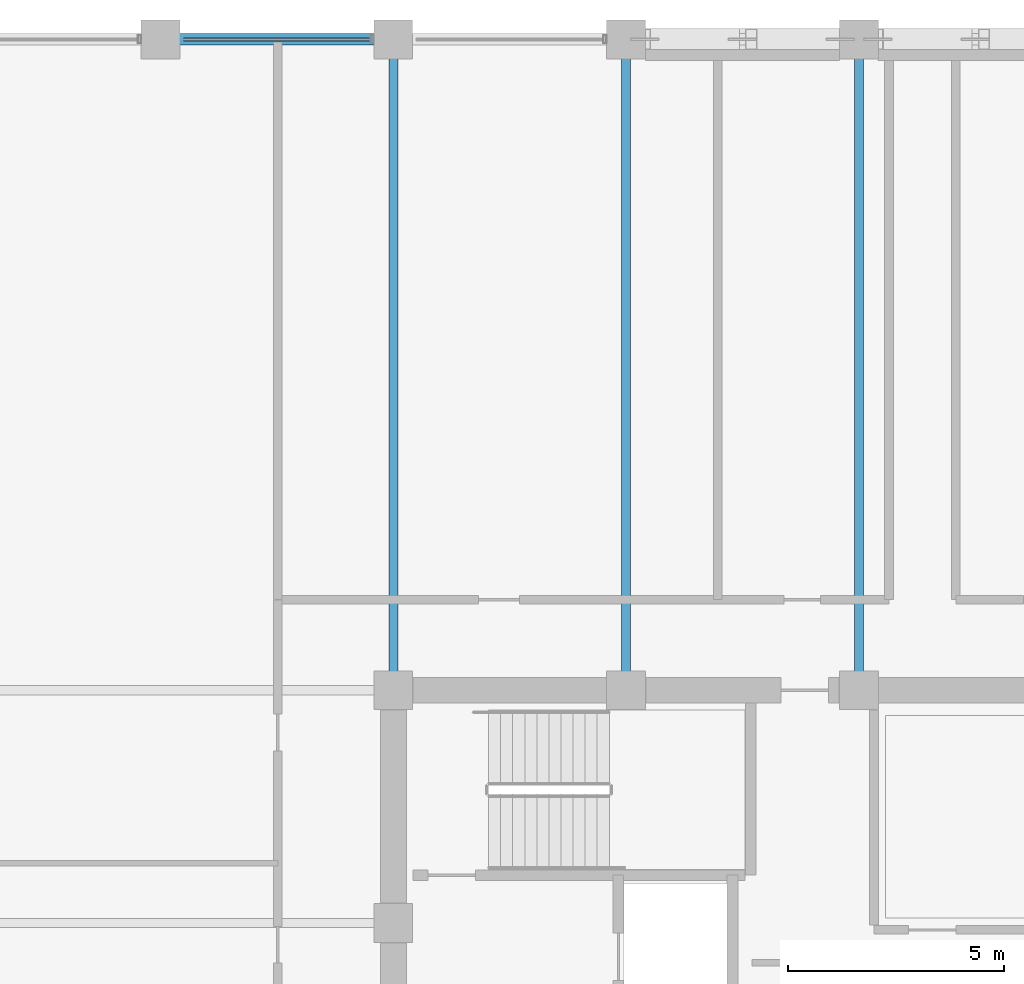
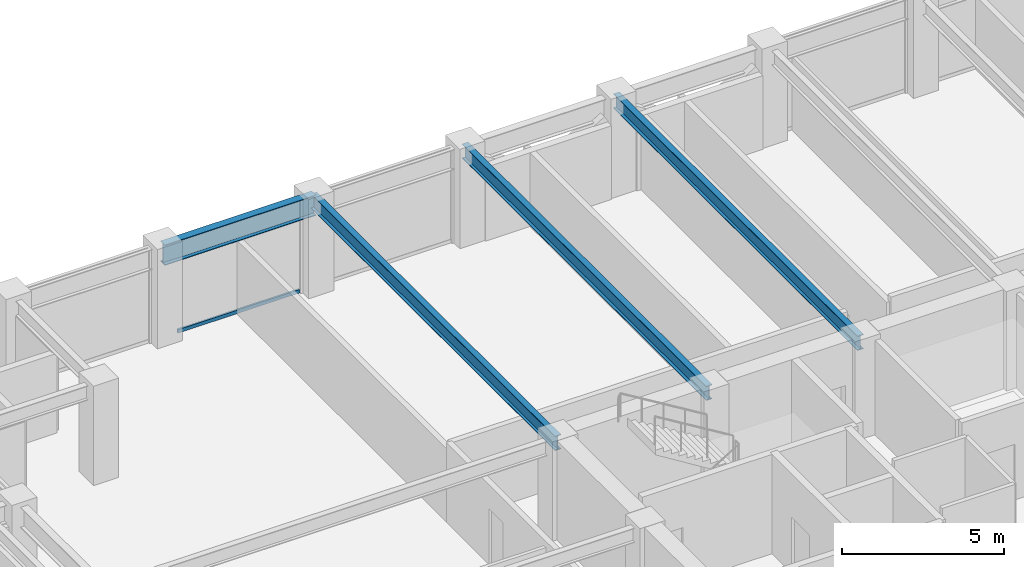
# One storey, part 19 of 32: 4 beams, 1 member, 1 element without a shape of its own.
"""IFC4 building model written with IfcOpenShell, lengths in metres."""

import ifcopenshell
import ifcopenshell.guid

model = None  # the IFC model being written
_history = None  # IfcOwnerHistory: only IFC2X3 demands one
_inside = {}  # id of a spatial element -> (the spatial element, [elements in it])
_under = {}  # id of a project, library or spatial element -> (it, [spatial elements below it])
_declared = {}  # id of a project -> (the project, [libraries it declares])
_typed = {}  # id of a type object -> (the type object, [elements of that type])
_made_of = {}  # id of a material, layer set ... -> (it, [elements and type objects made of it])


def new_model(schema):
    """Start an empty IFC model of exactly this schema.

    Asked for "IFC4X3", IfcOpenShell would pick the latest addendum, in which some entities
    have other attributes; the version numbers below select the first issue.
    IFC2X3 requires an IfcOwnerHistory on every rooted entity: one is made here for all.
    """
    global model, _history
    if schema == "IFC4X3":
        model = ifcopenshell.file(schema_version=(4, 3, 0, 0))
    else:
        model = ifcopenshell.file(schema=schema)
    _inside.clear()
    _under.clear()
    _declared.clear()
    _typed.clear()
    _made_of.clear()
    _history = None
    if model.schema == "IFC2X3":
        org = make("IfcOrganization", Name="unknown")
        user = make(
            "IfcPersonAndOrganization",
            ThePerson=make("IfcPerson", FamilyName="unknown"),
            TheOrganization=org,
        )
        app = make(
            "IfcApplication",
            ApplicationDeveloper=org,
            Version="unknown",
            ApplicationFullName="unknown",
            ApplicationIdentifier="unknown",
        )
        _history = make(
            "IfcOwnerHistory",
            OwningUser=user,
            OwningApplication=app,
            ChangeAction="ADDED",
            CreationDate=0,
        )
    return model


def make(cls, **values):
    """One entity of the class cls with the attributes given. An attribute that is None is left unset."""
    return model.create_entity(
        cls, **{name: value for name, value in values.items() if value is not None}
    )


def rooted(cls, **values):
    """An entity with a GlobalId (a new one), such as an element, a storey or a relation."""
    return make(cls, GlobalId=ifcopenshell.guid.new(), OwnerHistory=_history, **values)


def si_unit(unit_type, name, prefix=None):
    """IfcSIUnit, for example si_unit("LENGTHUNIT", "METRE", prefix="MILLI")."""
    return make("IfcSIUnit", UnitType=unit_type, Prefix=prefix, Name=name)


def assignment(units):
    """IfcUnitAssignment: the units of a project."""
    return None if units is None else make("IfcUnitAssignment", Units=units)


def point(xyz):
    """IfcCartesianPoint."""
    return None if xyz is None else make("IfcCartesianPoint", Coordinates=xyz)


def direction(xyz):
    """IfcDirection."""
    return None if xyz is None else make("IfcDirection", DirectionRatios=xyz)


def frame(location, z_axis=None, x_axis=None):
    """IfcAxis2Placement3D, a coordinate frame: its origin and axes. An axis left out is left unset."""
    return make(
        "IfcAxis2Placement3D",
        Location=point(location),
        Axis=direction(z_axis),
        RefDirection=direction(x_axis),
    )


def frame_2d(location, x_axis=None):
    """IfcAxis2Placement2D, a coordinate frame in the plane: its origin and x axis."""
    return make(
        "IfcAxis2Placement2D", Location=point(location), RefDirection=direction(x_axis)
    )


def origin():
    """The frame at (0, 0, 0) with its axes left unset."""
    return frame((0.0, 0.0, 0.0))


def origin_2d():
    """The frame at (0, 0) in the plane with its x axis left unset."""
    return frame_2d((0.0, 0.0))


def place(relative_to, where):
    """IfcLocalPlacement: puts the frame where relative to a parent placement (None: the world)."""
    return make(
        "IfcLocalPlacement", PlacementRelTo=relative_to, RelativePlacement=where
    )


def context(
    kind, dimensions, precision=None, world=None, true_north=None, identifier=None
):
    """IfcGeometricRepresentationContext, for example the 3D "Model" context."""
    return make(
        "IfcGeometricRepresentationContext",
        ContextIdentifier=identifier,
        ContextType=kind,
        CoordinateSpaceDimension=dimensions,
        Precision=precision,
        WorldCoordinateSystem=world,
        TrueNorth=true_north,
    )


def subcontext(parent, identifier, kind, view, scale=None):
    """IfcGeometricRepresentationSubContext, for example "Body" below "Model"."""
    return make(
        "IfcGeometricRepresentationSubContext",
        ContextIdentifier=identifier,
        ContextType=kind,
        ParentContext=parent,
        TargetScale=scale,
        TargetView=view,
    )


def project(units=None, contexts=None):
    """IfcProject with its units and contexts."""
    return rooted(
        "IfcProject",
        Name="project",
        RepresentationContexts=contexts,
        UnitsInContext=assignment(units),
    )


def spatial(cls, under=None, at=None, **own):
    """A site, building, storey or space (cls), placed at a placement, below another one or the project."""
    s = rooted(cls, ObjectPlacement=at, **own)
    if under is not None:
        _under.setdefault(under.id(), (under, []))[1].append(s)
    return s


def profile(cls, at=None, kind="AREA", **sizes):
    """A parametric profile (cls). Its sizes go by their IFC names, for example OverallWidth=200.0."""
    return make(cls, ProfileType=kind, Position=at, **sizes)


def hollow_rectangle(**sizes):
    """IfcRectangleHollowProfileDef."""
    return profile("IfcRectangleHollowProfileDef", **sizes)


def i_section(**sizes):
    """IfcIShapeProfileDef."""
    return profile("IfcIShapeProfileDef", **sizes)


def extrude(swept, where, along, depth):
    """IfcExtrudedAreaSolid: the profile swept, set in the frame where, extruded along a direction by depth."""
    return make(
        "IfcExtrudedAreaSolid",
        SweptArea=swept,
        Position=where,
        ExtrudedDirection=direction(along),
        Depth=depth,
    )


def shape(context_of_items, identifier, shape_type, items):
    """IfcShapeRepresentation: the items that make up one representation, for example the "Body"."""
    return make(
        "IfcShapeRepresentation",
        ContextOfItems=context_of_items,
        RepresentationIdentifier=identifier,
        RepresentationType=shape_type,
        Items=items,
    )


def material(Name=None, Category=None):
    """IfcMaterial."""
    return make("IfcMaterial", Name=Name, Category=Category)


def layer(
    of_material, thickness, ventilated=None, Name=None, Category=None, Priority=None
):
    """IfcMaterialLayer: one layer of a wall or slab, of a material (None: an air gap)."""
    return make(
        "IfcMaterialLayer",
        Material=of_material,
        LayerThickness=thickness,
        IsVentilated=ventilated,
        Name=Name,
        Category=Category,
        Priority=Priority,
    )


def layer_set(layers, Name=None):
    """IfcMaterialLayerSet."""
    return make("IfcMaterialLayerSet", MaterialLayers=layers, LayerSetName=Name)


def material_profile(
    of_material, cross_section, Name=None, Category=None, Priority=None
):
    """IfcMaterialProfile: a cross section and its material."""
    return make(
        "IfcMaterialProfile",
        Name=Name,
        Material=of_material,
        Profile=cross_section,
        Priority=Priority,
        Category=Category,
    )


def profile_set(profiles, Name=None, composite=None):
    """IfcMaterialProfileSet."""
    return make(
        "IfcMaterialProfileSet",
        Name=Name,
        MaterialProfiles=profiles,
        CompositeProfile=composite,
    )


def made_of(thing, what):
    """Note that an element or type object is made of a material, layer set ...; save() writes the relation."""
    if what is not None:
        _made_of.setdefault(what.id(), (what, []))[1].append(thing)
    return thing


def type_object(cls, material=None, **own):
    """A type object (cls), such as IfcWallType, which elements share."""
    return made_of(rooted(cls, **own), material)


def element(
    cls,
    number,
    at=None,
    inside=None,
    cuts=None,
    type_object=None,
    material=None,
    context=None,
    identifier="Body",
    shape_type=None,
    held_by="IfcProductDefinitionShape",
    body=None,
    shapes=None,
    **own,
):
    """One element of the class cls, such as IfcWall. Its Tag is "e" and its number.

    at: its placement. inside: the storey or other place that contains it. cuts: it is an
    opening in that element (IfcRelVoidsElement). A single representation is given by context,
    identifier, shape_type and body (its items); several are given by shapes. held_by: the class
    of the entity that holds the representations. save() writes the other relations.
    """
    e = rooted(cls, Tag="e%d" % number, ObjectPlacement=at, **own)
    if body is not None:
        shapes = [shape(context, identifier, shape_type, body)]
    if shapes is not None:
        e.Representation = make(held_by, Representations=shapes)
    if inside is not None:
        _inside.setdefault(inside.id(), (inside, []))[1].append(e)
    if cuts is not None:
        rooted(
            "IfcRelVoidsElement", RelatingBuildingElement=cuts, RelatedOpeningElement=e
        )
    if type_object is not None:
        _typed.setdefault(type_object.id(), (type_object, []))[1].append(e)
    return made_of(e, material)


def aggregate(whole, parts):
    """IfcRelAggregates: a whole, such as a stair, and the parts it consists of."""
    return rooted("IfcRelAggregates", RelatingObject=whole, RelatedObjects=parts)


def save(model, path):
    """Write the relations noted so far, then the file.

    IfcRelAggregates (storeys below a building ...), IfcRelContainedInSpatialStructure (elements
    in a storey), IfcRelDefinesByType, IfcRelAssociatesMaterial and IfcRelDeclares: one each for
    every whole, place, type object, material and project.
    """
    for whole, parts in _under.values():
        aggregate(whole, parts)
    for where, things in _inside.values():
        rooted(
            "IfcRelContainedInSpatialStructure",
            RelatedElements=things,
            RelatingStructure=where,
        )
    for kind, things in _typed.values():
        rooted("IfcRelDefinesByType", RelatedObjects=things, RelatingType=kind)
    for what, things in _made_of.values():
        rooted("IfcRelAssociatesMaterial", RelatedObjects=things, RelatingMaterial=what)
    for by, libraries in _declared.values():
        rooted("IfcRelDeclares", RelatingContext=by, RelatedDefinitions=libraries)
    model.write(path)


model = new_model("IFC4")

# Units and contexts
model_context = context("Model", 3, precision=1e-05, world=origin(), true_north=direction((0.0, 1.0)))
body_context = subcontext(model_context, "Body", "Model", "MODEL_VIEW")
ifc_project = project(units=[si_unit("LENGTHUNIT", "METRE"), si_unit("AREAUNIT", "SQUARE_METRE"), si_unit("VOLUMEUNIT", "CUBIC_METRE"), si_unit("PLANEANGLEUNIT", "RADIAN"), si_unit("MASSUNIT", "GRAM", prefix="KILO")], contexts=[model_context])

# Site, building, storey
site_placement = place(None, origin())
site = spatial("IfcSite", under=ifc_project, at=site_placement, CompositionType="ELEMENT")
building_placement = place(site_placement, origin())
building = spatial("IfcBuilding", under=site, at=building_placement, Name="Surkhivell Harbour Commons", CompositionType="ELEMENT")
storey_placement = place(building_placement, frame((0.0, 0.0, 186.0)))
storey = spatial("IfcBuildingStorey", under=building, at=storey_placement, Name="L48", CompositionType="ELEMENT", Elevation=186.0)

# Beams
ifc_material_1 = material(Name="Steel S355", Category="steel")
ifc_material_profile_1 = material_profile(ifc_material_1, i_section(OverallWidth=0.2119140625, OverallDepth=0.5439453125, WebThickness=0.0126953125, FlangeThickness=0.021240234375, at=origin_2d()), Name="UB533x210x122")
ifc_profile_set_1 = profile_set([ifc_material_profile_1], Name="Steel S355")
beam_type_1 = type_object("IfcBeamType", Name="BM-GRD-533A", PredefinedType="BEAM", material=ifc_profile_set_1)
for number, where, z_axis, x_axis, name in (
    (1, (-10.800048828125, 10.800048828125, 3.298095703125), (0.0, 1.0, 0.0), (-1.0, 0.0, 0.0), "L48 Floor Girder (-10.8,10.8)"),
    (2, (-5.39990234375, 10.800048828125, 3.298095703125), (0.0, 1.0, 0.0), (-1.0, 0.0, 0.0), "L48 Floor Girder (-5.4,10.8)"),
    (3, (0.0, 10.800048828125, 3.298095703125), (0.0, 1.0, 0.0), (-1.0, 0.0, 0.0), "L48 Floor Girder (0.0,10.8)"),
):
    element("IfcBeam", number, at=place(storey_placement, frame(where, z_axis=z_axis, x_axis=x_axis)), inside=storey, type_object=beam_type_1, Name=name, PredefinedType="BEAM", context=body_context, shape_type="SweptSolid", body=[
        extrude(i_section(OverallWidth=0.2119140625, OverallDepth=0.5439453125, WebThickness=0.0126953125, FlangeThickness=0.021240234375, at=origin_2d()), origin(), (0.0, 0.0, 1.0), 15.099853515625),
    ])
ifc_material_profile_2 = material_profile(ifc_material_1, i_section(OverallWidth=0.26806640625, OverallDepth=0.77001953125, WebThickness=0.015625, FlangeThickness=0.025390625, at=origin_2d()), Name="UB762x267x197")
ifc_profile_set_2 = profile_set([ifc_material_profile_2], Name="Steel S355")
beam_type_2 = type_object("IfcBeamType", Name="BM-SPN-762", PredefinedType="SPANDREL", material=ifc_profile_set_2)
beam_placement = place(storey_placement, frame((-16.199951171875, 25.89990234375, 3.18505859375), z_axis=(1.0, 0.0, 0.0), x_axis=(0.0, 1.0, 0.0)))
element("IfcBeam", 4, at=beam_placement, inside=storey, type_object=beam_type_2, Name="L48 Tube Spandrel (-16.2,25.9)", PredefinedType="SPANDREL", context=body_context, shape_type="SweptSolid", body=[
    extrude(i_section(OverallWidth=0.26806640625, OverallDepth=0.77001953125, WebThickness=0.015625, FlangeThickness=0.025390625, at=origin_2d()), origin(), (0.0, 0.0, 1.0), 5.39990234375),
])

# Curtain wall, member
ifc_material_2 = material(Name="Anodised pale-metal aluminium and insulated glazing", Category="aluminium")
ifc_layer = layer(ifc_material_2, 0.18994140625)
ifc_layer_set = layer_set([ifc_layer], Name="Anodised pale-metal aluminium and insulated glazing")
curtain_wall_type = type_object("IfcCurtainWallType", Name="CW-SYS-Z3", PredefinedType="NOTDEFINED", material=ifc_layer_set)
curtain_wall_placement = place(storey_placement, origin())
curtain_wall = element("IfcCurtainWall", 5, at=curtain_wall_placement, inside=storey, type_object=curtain_wall_type, Name="L48 Curtain Wall CW-L48-E07S2", PredefinedType="NOTDEFINED")
ifc_material_3 = material(Name="Champagne anodised aluminium alloy 6063-T6", Category="aluminium")
ifc_material_profile_3 = material_profile(ifc_material_3, hollow_rectangle(XDim=0.070068359375, YDim=0.1298828125, WallThickness=0.00341796875, at=origin_2d()), Name="ALU-TRAN-70x130")
ifc_profile_set_3 = profile_set([ifc_material_profile_3], Name="Champagne anodised aluminium alloy 6063-T6")
member_type = type_object("IfcMemberType", Name="CWT-130", PredefinedType="USERDEFINED", material=ifc_profile_set_3)
member_placement = place(storey_placement, frame((-11.326904296875, 25.89990234375, 0.06494140625), z_axis=(-1.0, 0.0, 0.0), x_axis=(0.0, -1.0, 0.0)))
member = element("IfcMember", 6, at=member_placement, type_object=member_type, Name="CW-Z3 transom 2.1", ObjectType="TRANSOM", PredefinedType="USERDEFINED", context=body_context, shape_type="SweptSolid", body=[
    extrude(hollow_rectangle(XDim=0.070068359375, YDim=0.1298828125, WallThickness=0.00341796875, at=origin_2d()), origin(), (0.0, 0.0, 1.0), 4.34619140625),
])
aggregate(curtain_wall, [member])

save(model, "model.ifc")
